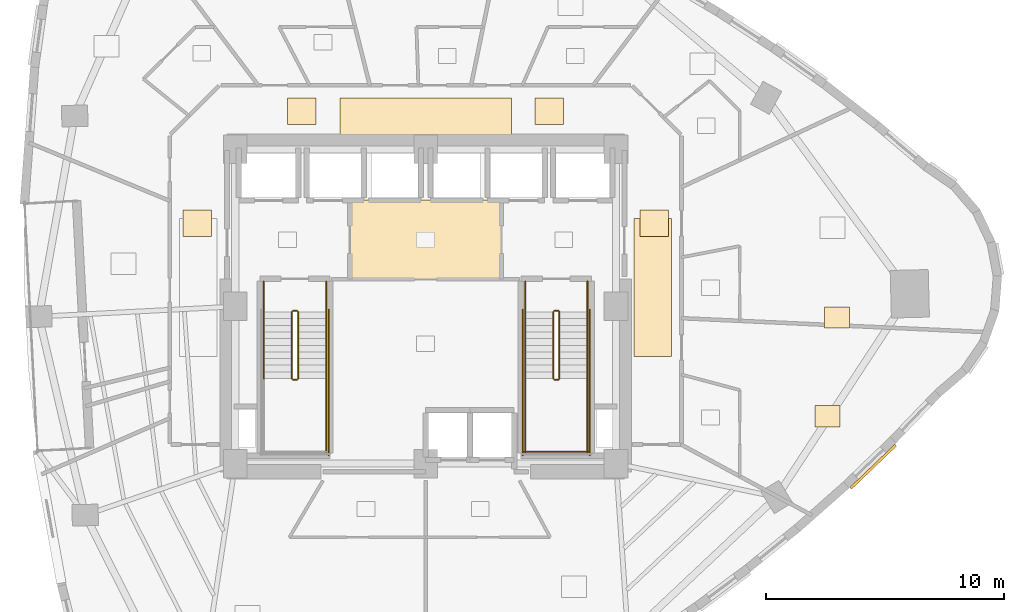
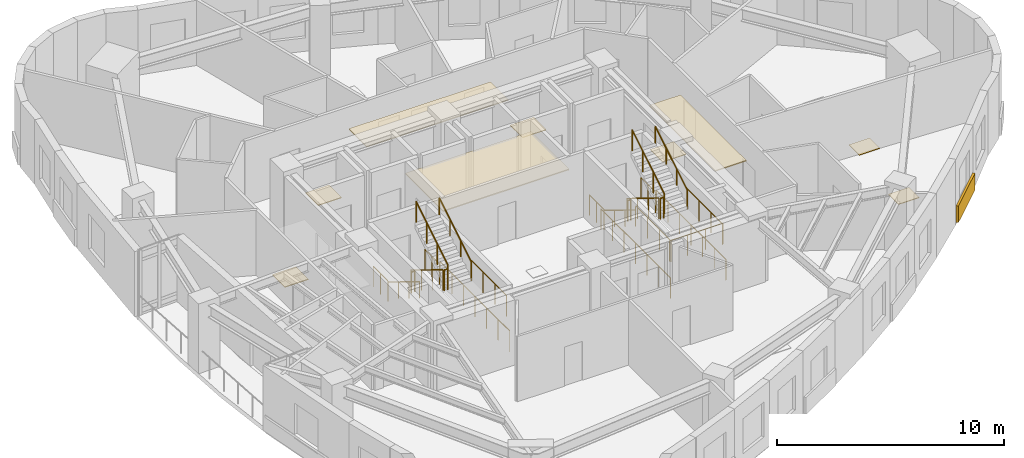
# One storey, part 11 of 12: 23 railings, 10 coverings.
"""IFC4 building model written with IfcOpenShell, lengths in metres."""

from ifc_helpers import new_model, si_unit, direction, frame, origin, origin_2d, place, context, subcontext, project, spatial, rectangle, circle, extrude, material, layer, layer_set, type_object, element, save


model = new_model("IFC4")

# Units and contexts
model_context = context("Model", 3, precision=1e-05, world=origin(), true_north=direction((0.0, 1.0)))
body_context = subcontext(model_context, "Body", "Model", "MODEL_VIEW")
ifc_project = project(units=[si_unit("LENGTHUNIT", "METRE"), si_unit("AREAUNIT", "SQUARE_METRE"), si_unit("VOLUMEUNIT", "CUBIC_METRE"), si_unit("PLANEANGLEUNIT", "RADIAN"), si_unit("MASSUNIT", "GRAM", prefix="KILO")], contexts=[model_context])

# Site, building, storey
site_placement = place(None, origin())
site = spatial("IfcSite", under=ifc_project, at=site_placement, CompositionType="ELEMENT")
building_placement = place(site_placement, origin())
building = spatial("IfcBuilding", under=site, at=building_placement, Name="Ndelora Gate Hotel", CompositionType="ELEMENT")
storey_placement = place(building_placement, frame((0.0, 0.0, 131.0)))
storey = spatial("IfcBuildingStorey", under=building, at=storey_placement, Name="L32", CompositionType="ELEMENT", Elevation=131.0)

# Coverings
ifc_material_1 = material(Name="Perforated Acoustic Gypsum Board", Category="gypsum")
ifc_layer_1 = layer(ifc_material_1, 0.054931640625)
ifc_layer_set_1 = layer_set([ifc_layer_1], Name="Perforated Acoustic Gypsum Board")
covering_type_1 = type_object("IfcCoveringType", Name="COV-CEIL-AC60", PredefinedType="CEILING", material=ifc_layer_set_1)
covering_1_placement = place(storey_placement, frame((0.0, 2.800048828125, 2.72265625), z_axis=(0.0, 0.0, 1.0), x_axis=(1.0, 0.0, 0.0)))
element("IfcCovering", 1, at=covering_1_placement, inside=storey, type_object=covering_type_1, Name="L32 Lift Lobby Acoustic Ceiling", PredefinedType="CEILING", context=body_context, shape_type="SweptSolid", body=[
    extrude(rectangle(XDim=6.39990234375, YDim=3.340087890625, at=origin_2d()), origin(), (0.0, 0.0, 1.0), 0.054931640625),
])
covering_2_placement = place(storey_placement, frame((0.0, 7.9599609375, 2.65234375), z_axis=(0.0, 0.0, 1.0), x_axis=(1.0, 0.0, 0.0)))
element("IfcCovering", 2, at=covering_2_placement, inside=storey, type_object=covering_type_1, Name="L32 Guest Corridor Acoustic Ceiling N", PredefinedType="CEILING", context=body_context, shape_type="SweptSolid", body=[
    extrude(rectangle(XDim=7.199951171875, YDim=1.580078125, at=origin_2d()), origin(), (0.0, 0.0, 1.0), 0.054931640625),
])
covering_3_placement = place(storey_placement, frame((9.550048828125, 0.800048828125, 2.65234375), z_axis=(0.0, 0.0, 1.0), x_axis=(1.0, 0.0, 0.0)))
element("IfcCovering", 3, at=covering_3_placement, inside=storey, type_object=covering_type_1, Name="L32 Guest Corridor Acoustic Ceiling E", PredefinedType="CEILING", context=body_context, shape_type="SweptSolid", body=[
    extrude(rectangle(XDim=1.580078125, YDim=5.800048828125, at=origin_2d()), origin(), (0.0, 0.0, 1.0), 0.054931640625),
])
ifc_material_2 = material(Name="Terracotta Fired Clay Brick Slip Cladding", Category="masonry")
ifc_layer_2 = layer(ifc_material_2, 0.110107421875)
ifc_layer_set_2 = layer_set([ifc_layer_2], Name="Terracotta Fired Clay Brick Slip Cladding")
covering_type_2 = type_object("IfcCoveringType", Name="COV-CLAD-BRK", PredefinedType="CLADDING", material=ifc_layer_set_2)
covering_4_placement = place(storey_placement, frame((18.802734375, -6.738525390625, 0.10009765625), z_axis=(0.0, 0.0, 1.0), x_axis=(0.721397723859, 0.692520991747, 0.0)))
element("IfcCovering", 4, at=covering_4_placement, inside=storey, type_object=covering_type_2, Name="L32 Rounded-Corner Brick Cladding Band 37", PredefinedType="CLADDING", context=body_context, shape_type="SweptSolid", body=[
    extrude(rectangle(XDim=2.6279296875, YDim=0.110107421875, at=origin_2d()), origin(), (0.0, 0.0, 1.0), 0.89990234375),
])
ifc_material_3 = material(Name="Engineered Highland Oak Parquet", Category="wood")
ifc_layer_3 = layer(ifc_material_3, 0.030029296875)
ifc_layer_set_3 = layer_set([ifc_layer_3], Name="Engineered Highland Oak Parquet")
covering_type_3 = type_object("IfcCoveringType", Name="COV-FLR-PARQ", PredefinedType="FLOORING", material=ifc_layer_set_3)
for number, where, z_axis, x_axis, name in (
    (5, (16.89501953125, -4.60546875, 0.0), (0.0, 0.0, 1.0), (1.0, 0.0, 0.0), "L32 Corner Junior Suite 3503 Oak Parquet Flooring"),
    (6, (17.279541015625, -0.463623046875, 0.0), (0.0, 0.0, 1.0), (1.0, 0.0, 0.0), "L32 Housekeeping and Linen Room Oak Parquet Flooring"),
):
    element("IfcCovering", number, at=place(storey_placement, frame(where, z_axis=z_axis, x_axis=x_axis)), inside=storey, type_object=covering_type_3, Name=name, PredefinedType="FLOORING", context=body_context, shape_type="SweptSolid", body=[
        extrude(rectangle(XDim=1.050048828125, YDim=0.89990234375, at=origin_2d()), origin(), (0.0, 0.0, 1.0), 0.030029296875),
    ])
ifc_material_4 = material(Name="Polished Highland Stone Terrazzo", Category="masonry")
ifc_layer_4 = layer(ifc_material_4, 0.034912109375)
ifc_layer_set_4 = layer_set([ifc_layer_4], Name="Polished Highland Stone Terrazzo")
covering_type_4 = type_object("IfcCoveringType", Name="COV-FLR-TERZ", PredefinedType="FLOORING", material=ifc_layer_set_4)
for number, where, z_axis, x_axis, name in (
    (7, (-5.199951171875, 8.199951171875, 0.0), (0.0, 0.0, 1.0), (1.0, 0.0, 0.0), "L32 Corridor Threshold Terrazzo Inlay NW"),
    (8, (5.199951171875, 8.199951171875, 0.0), (0.0, 0.0, 1.0), (1.0, 0.0, 0.0), "L32 Corridor Threshold Terrazzo Inlay NE"),
    (9, (-9.60009765625, 3.5, 0.0), (0.0, 0.0, 1.0), (1.0, 0.0, 0.0), "L32 Corridor Threshold Terrazzo Inlay W"),
    (10, (9.60009765625, 3.5, 0.0), (0.0, 0.0, 1.0), (1.0, 0.0, 0.0), "L32 Corridor Threshold Terrazzo Inlay E"),
):
    element("IfcCovering", number, at=place(storey_placement, frame(where, z_axis=z_axis, x_axis=x_axis)), inside=storey, type_object=covering_type_4, Name=name, PredefinedType="FLOORING", context=body_context, shape_type="SweptSolid", body=[
        extrude(rectangle(XDim=1.199951171875, YDim=1.10009765625, at=origin_2d()), origin(), (0.0, 0.0, 1.0), 0.034912109375),
    ])

# Railings
ifc_material_5 = material(Name="Painted Galvanized Steel Balustrade", Category="steel")
ifc_layer_5 = layer(ifc_material_5, 0.06005859375)
ifc_layer_set_5 = layer_set([ifc_layer_5], Name="Painted Galvanized Steel Balustrade")
railing_type_1 = type_object("IfcRailingType", Name="RL-STAIR-GD", PredefinedType="GUARDRAIL", material=ifc_layer_set_5)
railing_1_placement = place(storey_placement, frame((-5.6201171875, -0.22998046875, 0.17041015625)))
element("IfcRailing", 11, at=railing_1_placement, inside=storey, type_object=railing_type_1, Name="L32 ST4 stair guard 1", PredefinedType="GUARDRAIL", context=body_context, shape_type="SweptSolid", body=[
    extrude(circle(Radius=0.02392578125, at=origin_2d()), frame((0.0, 0.0, 1.10595703125), z_axis=(0.0, -0.854169791009, 0.51999420009), x_axis=(1.0, 0.0, 0.0)), (0.0, 0.0, 1.0), 3.278076171875),
    extrude(circle(Radius=0.02099609375, at=origin_2d()), origin(), (0.0, 0.0, 1.0), 1.081787109375),
    extrude(circle(Radius=0.02099609375, at=origin_2d()), frame((0.0, -0.933349609375, 0.568115234375)), (0.0, 0.0, 1.0), 1.081787109375),
    extrude(circle(Radius=0.02099609375, at=origin_2d()), frame((0.0, -1.86669921875, 1.136474609375)), (0.0, 0.0, 1.0), 1.081787109375),
    extrude(circle(Radius=0.02099609375, at=origin_2d()), frame((0.0, -2.800048828125, 1.70458984375)), (0.0, 0.0, 1.0), 1.081787109375),
])
railing_2_placement = place(storey_placement, frame((-5.570068359375, -3.080078125, 1.875)))
element("IfcRailing", 12, at=railing_2_placement, inside=storey, type_object=railing_type_1, Name="L32 ST4 stair guard 2", PredefinedType="GUARDRAIL", context=body_context, shape_type="SweptSolid", body=[
    extrude(circle(Radius=0.02392578125, at=origin_2d()), frame((0.0, 0.0, 1.10595703125), z_axis=(1.0, 0.0, 0.0), x_axis=(0.0, 1.0, 0.0)), (0.0, 0.0, 1.0), 0.16015625),
    extrude(circle(Radius=0.02099609375, at=origin_2d()), origin(), (0.0, 0.0, 1.0), 1.081787109375),
    extrude(circle(Radius=0.02099609375, at=origin_2d()), frame((0.16015625, 0.0, 0.0)), (0.0, 0.0, 1.0), 1.081787109375),
])
railing_3_placement = place(storey_placement, frame((-4.179931640625, -3.030029296875, 1.875)))
element("IfcRailing", 13, at=railing_3_placement, inside=storey, type_object=railing_type_1, Name="L32 ST4 stair guard 4", PredefinedType="GUARDRAIL", context=body_context, shape_type="SweptSolid", body=[
    extrude(circle(Radius=0.02392578125, at=origin_2d()), frame((0.0, 0.0, 1.10595703125), z_axis=(0.0, -1.0, 0.0), x_axis=(1.0, 0.0, 0.0)), (0.0, 0.0, 1.0), 3.119873046875),
    extrude(circle(Radius=0.02099609375, at=origin_2d()), origin(), (0.0, 0.0, 1.0), 1.081787109375),
    extrude(circle(Radius=0.02099609375, at=origin_2d()), frame((0.0, -1.0400390625, 0.0)), (0.0, 0.0, 1.0), 1.081787109375),
    extrude(circle(Radius=0.02099609375, at=origin_2d()), frame((0.0, -2.079833984375, 0.0)), (0.0, 0.0, 1.0), 1.081787109375),
    extrude(circle(Radius=0.02099609375, at=origin_2d()), frame((0.0, -3.119873046875, 0.0)), (0.0, 0.0, 1.0), 1.081787109375),
])
railing_4_placement = place(storey_placement, frame((-5.360107421875, -3.030029296875, 2.04541015625)))
element("IfcRailing", 14, at=railing_4_placement, inside=storey, type_object=railing_type_1, Name="L32 ST4 stair guard 6", PredefinedType="GUARDRAIL", context=body_context, shape_type="SweptSolid", body=[
    extrude(circle(Radius=0.02392578125, at=origin_2d()), frame((0.0, 0.0, 1.10595703125), z_axis=(0.0, 0.854169791009, 0.51999420009), x_axis=(-1.0, 0.0, 0.0)), (0.0, 0.0, 1.0), 3.278076171875),
    extrude(circle(Radius=0.02099609375, at=origin_2d()), origin(), (0.0, 0.0, 1.0), 1.081787109375),
    extrude(circle(Radius=0.02099609375, at=origin_2d()), frame((0.0, 0.933349609375, 0.568115234375)), (0.0, 0.0, 1.0), 1.081787109375),
    extrude(circle(Radius=0.02099609375, at=origin_2d()), frame((0.0, 1.86669921875, 1.136474609375)), (0.0, 0.0, 1.0), 1.081787109375),
    extrude(circle(Radius=0.02099609375, at=origin_2d()), frame((0.0, 2.800048828125, 1.70458984375)), (0.0, 0.0, 1.0), 1.081787109375),
])
railing_5_placement = place(storey_placement, frame((-5.570068359375, -0.179931640625, 0.0)))
element("IfcRailing", 15, at=railing_5_placement, inside=storey, type_object=railing_type_1, Name="L32 ST4 stair guard 7", PredefinedType="GUARDRAIL", context=body_context, shape_type="SweptSolid", body=[
    extrude(circle(Radius=0.02392578125, at=origin_2d()), frame((0.0, 0.0, 1.10595703125), z_axis=(1.0, 0.0, 0.0), x_axis=(0.0, 1.0, 0.0)), (0.0, 0.0, 1.0), 0.16015625),
    extrude(circle(Radius=0.02099609375, at=origin_2d()), origin(), (0.0, 0.0, 1.0), 1.081787109375),
    extrude(circle(Radius=0.02099609375, at=origin_2d()), frame((0.16015625, 0.0, 0.0)), (0.0, 0.0, 1.0), 1.081787109375),
])
for number, where, name in (
    (16, (-6.800048828125, 1.050048828125, 0.0), "L32 ST4 stair guard 8"),
    (17, (-4.179931640625, 1.050048828125, 0.0), "L32 ST4 stair guard 9"),
):
    element("IfcRailing", number, at=place(storey_placement, frame(where)), inside=storey, type_object=railing_type_1, Name=name, PredefinedType="GUARDRAIL", context=body_context, shape_type="SweptSolid", body=[
        extrude(circle(Radius=0.02392578125, at=origin_2d()), frame((0.0, 0.0, 1.10595703125), z_axis=(0.0, -1.0, 0.0), x_axis=(1.0, 0.0, 0.0)), (0.0, 0.0, 1.0), 1.280029296875),
        extrude(circle(Radius=0.02099609375, at=origin_2d()), origin(), (0.0, 0.0, 1.0), 1.081787109375),
        extrude(circle(Radius=0.02099609375, at=origin_2d()), frame((0.0, -0.64013671875, 0.0)), (0.0, 0.0, 1.0), 1.081787109375),
        extrude(circle(Radius=0.02099609375, at=origin_2d()), frame((0.0, -1.280029296875, 0.0)), (0.0, 0.0, 1.0), 1.081787109375),
    ])
railing_6_placement = place(storey_placement, frame((-4.080078125, -0.1298828125, 0.0)))
element("IfcRailing", 18, at=railing_6_placement, inside=storey, type_object=railing_type_1, Name="L32 ST4 stair guard 11", PredefinedType="GUARDRAIL", context=body_context, shape_type="SweptSolid", body=[
    extrude(circle(Radius=0.02392578125, at=origin_2d()), frame((0.0, 0.0, 1.10595703125), z_axis=(0.0, -1.0, 0.0), x_axis=(1.0, 0.0, 0.0)), (0.0, 0.0, 1.0), 6.1201171875),
    extrude(circle(Radius=0.02099609375, at=origin_2d()), origin(), (0.0, 0.0, 1.0), 1.081787109375),
    extrude(circle(Radius=0.02099609375, at=origin_2d()), frame((0.0, -1.02001953125, 0.0)), (0.0, 0.0, 1.0), 1.081787109375),
    extrude(circle(Radius=0.02099609375, at=origin_2d()), frame((0.0, -2.0400390625, 0.0)), (0.0, 0.0, 1.0), 1.081787109375),
    extrude(circle(Radius=0.02099609375, at=origin_2d()), frame((0.0, -3.06005859375, 0.0)), (0.0, 0.0, 1.0), 1.081787109375),
    extrude(circle(Radius=0.02099609375, at=origin_2d()), frame((0.0, -4.080078125, 0.0)), (0.0, 0.0, 1.0), 1.081787109375),
    extrude(circle(Radius=0.02099609375, at=origin_2d()), frame((0.0, -5.10009765625, 0.0)), (0.0, 0.0, 1.0), 1.081787109375),
    extrude(circle(Radius=0.02099609375, at=origin_2d()), frame((0.0, -6.1201171875, 0.0)), (0.0, 0.0, 1.0), 1.081787109375),
])
railing_7_placement = place(storey_placement, frame((5.360107421875, -0.22998046875, 0.17041015625)))
element("IfcRailing", 19, at=railing_7_placement, inside=storey, type_object=railing_type_1, Name="L32 ST5 stair guard 1", PredefinedType="GUARDRAIL", context=body_context, shape_type="SweptSolid", body=[
    extrude(circle(Radius=0.02392578125, at=origin_2d()), frame((0.0, 0.0, 1.10595703125), z_axis=(0.0, -0.854169791009, 0.51999420009), x_axis=(1.0, 0.0, 0.0)), (0.0, 0.0, 1.0), 3.278076171875),
    extrude(circle(Radius=0.02099609375, at=origin_2d()), origin(), (0.0, 0.0, 1.0), 1.081787109375),
    extrude(circle(Radius=0.02099609375, at=origin_2d()), frame((0.0, -0.933349609375, 0.568115234375)), (0.0, 0.0, 1.0), 1.081787109375),
    extrude(circle(Radius=0.02099609375, at=origin_2d()), frame((0.0, -1.86669921875, 1.136474609375)), (0.0, 0.0, 1.0), 1.081787109375),
    extrude(circle(Radius=0.02099609375, at=origin_2d()), frame((0.0, -2.800048828125, 1.70458984375)), (0.0, 0.0, 1.0), 1.081787109375),
])
railing_8_placement = place(storey_placement, frame((5.409912109375, -3.080078125, 1.875)))
element("IfcRailing", 20, at=railing_8_placement, inside=storey, type_object=railing_type_1, Name="L32 ST5 stair guard 2", PredefinedType="GUARDRAIL", context=body_context, shape_type="SweptSolid", body=[
    extrude(circle(Radius=0.02392578125, at=origin_2d()), frame((0.0, 0.0, 1.10595703125), z_axis=(1.0, 0.0, 0.0), x_axis=(0.0, 1.0, 0.0)), (0.0, 0.0, 1.0), 0.16015625),
    extrude(circle(Radius=0.02099609375, at=origin_2d()), origin(), (0.0, 0.0, 1.0), 1.081787109375),
    extrude(circle(Radius=0.02099609375, at=origin_2d()), frame((0.16015625, 0.0, 0.0)), (0.0, 0.0, 1.0), 1.081787109375),
])
for number, where, name in (
    (21, (4.179931640625, -3.030029296875, 1.875), "L32 ST5 stair guard 3"),
    (22, (6.800048828125, -3.030029296875, 1.875), "L32 ST5 stair guard 4"),
):
    element("IfcRailing", number, at=place(storey_placement, frame(where)), inside=storey, type_object=railing_type_1, Name=name, PredefinedType="GUARDRAIL", context=body_context, shape_type="SweptSolid", body=[
        extrude(circle(Radius=0.02392578125, at=origin_2d()), frame((0.0, 0.0, 1.10595703125), z_axis=(0.0, -1.0, 0.0), x_axis=(1.0, 0.0, 0.0)), (0.0, 0.0, 1.0), 3.119873046875),
        extrude(circle(Radius=0.02099609375, at=origin_2d()), origin(), (0.0, 0.0, 1.0), 1.081787109375),
        extrude(circle(Radius=0.02099609375, at=origin_2d()), frame((0.0, -1.0400390625, 0.0)), (0.0, 0.0, 1.0), 1.081787109375),
        extrude(circle(Radius=0.02099609375, at=origin_2d()), frame((0.0, -2.079833984375, 0.0)), (0.0, 0.0, 1.0), 1.081787109375),
        extrude(circle(Radius=0.02099609375, at=origin_2d()), frame((0.0, -3.119873046875, 0.0)), (0.0, 0.0, 1.0), 1.081787109375),
    ])
railing_9_placement = place(storey_placement, frame((4.1298828125, -6.10009765625, 1.875)))
element("IfcRailing", 23, at=railing_9_placement, inside=storey, type_object=railing_type_1, Name="L32 ST5 stair guard 5", PredefinedType="GUARDRAIL", context=body_context, shape_type="SweptSolid", body=[
    extrude(circle(Radius=0.02392578125, at=origin_2d()), frame((0.0, 0.0, 1.10595703125), z_axis=(1.0, 0.0, 0.0), x_axis=(0.0, 1.0, 0.0)), (0.0, 0.0, 1.0), 2.72021484375),
    extrude(circle(Radius=0.02099609375, at=origin_2d()), origin(), (0.0, 0.0, 1.0), 1.081787109375),
    extrude(circle(Radius=0.02099609375, at=origin_2d()), frame((0.90673828125, 0.0, 0.0)), (0.0, 0.0, 1.0), 1.081787109375),
    extrude(circle(Radius=0.02099609375, at=origin_2d()), frame((1.8134765625, 0.0, 0.0)), (0.0, 0.0, 1.0), 1.081787109375),
    extrude(circle(Radius=0.02099609375, at=origin_2d()), frame((2.72021484375, 0.0, 0.0)), (0.0, 0.0, 1.0), 1.081787109375),
])
railing_10_placement = place(storey_placement, frame((5.6201171875, -3.030029296875, 2.04541015625)))
element("IfcRailing", 24, at=railing_10_placement, inside=storey, type_object=railing_type_1, Name="L32 ST5 stair guard 6", PredefinedType="GUARDRAIL", context=body_context, shape_type="SweptSolid", body=[
    extrude(circle(Radius=0.02392578125, at=origin_2d()), frame((0.0, 0.0, 1.10595703125), z_axis=(0.0, 0.854169791009, 0.51999420009), x_axis=(-1.0, 0.0, 0.0)), (0.0, 0.0, 1.0), 3.278076171875),
    extrude(circle(Radius=0.02099609375, at=origin_2d()), origin(), (0.0, 0.0, 1.0), 1.081787109375),
    extrude(circle(Radius=0.02099609375, at=origin_2d()), frame((0.0, 0.933349609375, 0.568115234375)), (0.0, 0.0, 1.0), 1.081787109375),
    extrude(circle(Radius=0.02099609375, at=origin_2d()), frame((0.0, 1.86669921875, 1.136474609375)), (0.0, 0.0, 1.0), 1.081787109375),
    extrude(circle(Radius=0.02099609375, at=origin_2d()), frame((0.0, 2.800048828125, 1.70458984375)), (0.0, 0.0, 1.0), 1.081787109375),
])
railing_11_placement = place(storey_placement, frame((5.409912109375, -0.179931640625, 0.0)))
element("IfcRailing", 25, at=railing_11_placement, inside=storey, type_object=railing_type_1, Name="L32 ST5 stair guard 7", PredefinedType="GUARDRAIL", context=body_context, shape_type="SweptSolid", body=[
    extrude(circle(Radius=0.02392578125, at=origin_2d()), frame((0.0, 0.0, 1.10595703125), z_axis=(1.0, 0.0, 0.0), x_axis=(0.0, 1.0, 0.0)), (0.0, 0.0, 1.0), 0.16015625),
    extrude(circle(Radius=0.02099609375, at=origin_2d()), origin(), (0.0, 0.0, 1.0), 1.081787109375),
    extrude(circle(Radius=0.02099609375, at=origin_2d()), frame((0.16015625, 0.0, 0.0)), (0.0, 0.0, 1.0), 1.081787109375),
])
for number, where, name in (
    (26, (4.179931640625, 1.050048828125, 0.0), "L32 ST5 stair guard 8"),
    (27, (6.800048828125, 1.050048828125, 0.0), "L32 ST5 stair guard 9"),
):
    element("IfcRailing", number, at=place(storey_placement, frame(where)), inside=storey, type_object=railing_type_1, Name=name, PredefinedType="GUARDRAIL", context=body_context, shape_type="SweptSolid", body=[
        extrude(circle(Radius=0.02392578125, at=origin_2d()), frame((0.0, 0.0, 1.10595703125), z_axis=(0.0, -1.0, 0.0), x_axis=(1.0, 0.0, 0.0)), (0.0, 0.0, 1.0), 1.280029296875),
        extrude(circle(Radius=0.02099609375, at=origin_2d()), origin(), (0.0, 0.0, 1.0), 1.081787109375),
        extrude(circle(Radius=0.02099609375, at=origin_2d()), frame((0.0, -0.64013671875, 0.0)), (0.0, 0.0, 1.0), 1.081787109375),
        extrude(circle(Radius=0.02099609375, at=origin_2d()), frame((0.0, -1.280029296875, 0.0)), (0.0, 0.0, 1.0), 1.081787109375),
    ])
for number, where, name in (
    (28, (4.080078125, -0.1298828125, 0.0), "L32 ST5 stair guard 10"),
    (29, (6.89990234375, -0.1298828125, 0.0), "L32 ST5 stair guard 11"),
):
    element("IfcRailing", number, at=place(storey_placement, frame(where)), inside=storey, type_object=railing_type_1, Name=name, PredefinedType="GUARDRAIL", context=body_context, shape_type="SweptSolid", body=[
        extrude(circle(Radius=0.02392578125, at=origin_2d()), frame((0.0, 0.0, 1.10595703125), z_axis=(0.0, -1.0, 0.0), x_axis=(1.0, 0.0, 0.0)), (0.0, 0.0, 1.0), 6.1201171875),
        extrude(circle(Radius=0.02099609375, at=origin_2d()), origin(), (0.0, 0.0, 1.0), 1.081787109375),
        extrude(circle(Radius=0.02099609375, at=origin_2d()), frame((0.0, -1.02001953125, 0.0)), (0.0, 0.0, 1.0), 1.081787109375),
        extrude(circle(Radius=0.02099609375, at=origin_2d()), frame((0.0, -2.0400390625, 0.0)), (0.0, 0.0, 1.0), 1.081787109375),
        extrude(circle(Radius=0.02099609375, at=origin_2d()), frame((0.0, -3.06005859375, 0.0)), (0.0, 0.0, 1.0), 1.081787109375),
        extrude(circle(Radius=0.02099609375, at=origin_2d()), frame((0.0, -4.080078125, 0.0)), (0.0, 0.0, 1.0), 1.081787109375),
        extrude(circle(Radius=0.02099609375, at=origin_2d()), frame((0.0, -5.10009765625, 0.0)), (0.0, 0.0, 1.0), 1.081787109375),
        extrude(circle(Radius=0.02099609375, at=origin_2d()), frame((0.0, -6.1201171875, 0.0)), (0.0, 0.0, 1.0), 1.081787109375),
    ])
ifc_material_6 = material(Name="Brushed Stainless Steel 316", Category="steel")
ifc_layer_6 = layer(ifc_material_6, 0.050048828125)
ifc_layer_set_6 = layer_set([ifc_layer_6], Name="Brushed Stainless Steel 316")
railing_type_2 = type_object("IfcRailingType", Name="RL-STAIR-HR", PredefinedType="HANDRAIL", material=ifc_layer_set_6)
railing_12_placement = place(storey_placement, frame((-6.800048828125, -0.22998046875, 0.17041015625)))
element("IfcRailing", 30, at=railing_12_placement, inside=storey, type_object=railing_type_2, Name="L32 ST4 stair handrail 1", PredefinedType="HANDRAIL", context=body_context, shape_type="SweptSolid", body=[
    extrude(circle(Radius=0.02392578125, at=origin_2d()), frame((0.0, 0.0, 0.8759765625), z_axis=(0.0, -0.854169791009, 0.51999420009), x_axis=(1.0, 0.0, 0.0)), (0.0, 0.0, 1.0), 3.278076171875),
    extrude(circle(Radius=0.02099609375, at=origin_2d()), origin(), (0.0, 0.0, 1.0), 0.851806640625),
    extrude(circle(Radius=0.02099609375, at=origin_2d()), frame((0.0, -0.933349609375, 0.568115234375)), (0.0, 0.0, 1.0), 0.851806640625),
    extrude(circle(Radius=0.02099609375, at=origin_2d()), frame((0.0, -1.86669921875, 1.136474609375)), (0.0, 0.0, 1.0), 0.851806640625),
    extrude(circle(Radius=0.02099609375, at=origin_2d()), frame((0.0, -2.800048828125, 1.70458984375)), (0.0, 0.0, 1.0), 0.851806640625),
])
railing_13_placement = place(storey_placement, frame((-4.179931640625, -3.030029296875, 2.04541015625)))
element("IfcRailing", 31, at=railing_13_placement, inside=storey, type_object=railing_type_2, Name="L32 ST4 stair handrail 2", PredefinedType="HANDRAIL", context=body_context, shape_type="SweptSolid", body=[
    extrude(circle(Radius=0.02392578125, at=origin_2d()), frame((0.0, 0.0, 0.8759765625), z_axis=(0.0, 0.854169791009, 0.51999420009), x_axis=(-1.0, 0.0, 0.0)), (0.0, 0.0, 1.0), 3.278076171875),
    extrude(circle(Radius=0.02099609375, at=origin_2d()), origin(), (0.0, 0.0, 1.0), 0.851806640625),
    extrude(circle(Radius=0.02099609375, at=origin_2d()), frame((0.0, 0.933349609375, 0.568115234375)), (0.0, 0.0, 1.0), 0.851806640625),
    extrude(circle(Radius=0.02099609375, at=origin_2d()), frame((0.0, 1.86669921875, 1.136474609375)), (0.0, 0.0, 1.0), 0.851806640625),
    extrude(circle(Radius=0.02099609375, at=origin_2d()), frame((0.0, 2.800048828125, 1.70458984375)), (0.0, 0.0, 1.0), 0.851806640625),
])
railing_14_placement = place(storey_placement, frame((4.179931640625, -0.22998046875, 0.17041015625)))
element("IfcRailing", 32, at=railing_14_placement, inside=storey, type_object=railing_type_2, Name="L32 ST5 stair handrail 1", PredefinedType="HANDRAIL", context=body_context, shape_type="SweptSolid", body=[
    extrude(circle(Radius=0.02392578125, at=origin_2d()), frame((0.0, 0.0, 0.8759765625), z_axis=(0.0, -0.854169791009, 0.51999420009), x_axis=(1.0, 0.0, 0.0)), (0.0, 0.0, 1.0), 3.278076171875),
    extrude(circle(Radius=0.02099609375, at=origin_2d()), origin(), (0.0, 0.0, 1.0), 0.851806640625),
    extrude(circle(Radius=0.02099609375, at=origin_2d()), frame((0.0, -0.933349609375, 0.568115234375)), (0.0, 0.0, 1.0), 0.851806640625),
    extrude(circle(Radius=0.02099609375, at=origin_2d()), frame((0.0, -1.86669921875, 1.136474609375)), (0.0, 0.0, 1.0), 0.851806640625),
    extrude(circle(Radius=0.02099609375, at=origin_2d()), frame((0.0, -2.800048828125, 1.70458984375)), (0.0, 0.0, 1.0), 0.851806640625),
])
railing_15_placement = place(storey_placement, frame((6.800048828125, -3.030029296875, 2.04541015625)))
element("IfcRailing", 33, at=railing_15_placement, inside=storey, type_object=railing_type_2, Name="L32 ST5 stair handrail 2", PredefinedType="HANDRAIL", context=body_context, shape_type="SweptSolid", body=[
    extrude(circle(Radius=0.02392578125, at=origin_2d()), frame((0.0, 0.0, 0.8759765625), z_axis=(0.0, 0.854169791009, 0.51999420009), x_axis=(-1.0, 0.0, 0.0)), (0.0, 0.0, 1.0), 3.278076171875),
    extrude(circle(Radius=0.02099609375, at=origin_2d()), origin(), (0.0, 0.0, 1.0), 0.851806640625),
    extrude(circle(Radius=0.02099609375, at=origin_2d()), frame((0.0, 0.933349609375, 0.568115234375)), (0.0, 0.0, 1.0), 0.851806640625),
    extrude(circle(Radius=0.02099609375, at=origin_2d()), frame((0.0, 1.86669921875, 1.136474609375)), (0.0, 0.0, 1.0), 0.851806640625),
    extrude(circle(Radius=0.02099609375, at=origin_2d()), frame((0.0, 2.800048828125, 1.70458984375)), (0.0, 0.0, 1.0), 0.851806640625),
])

save(model, "model.ifc")
